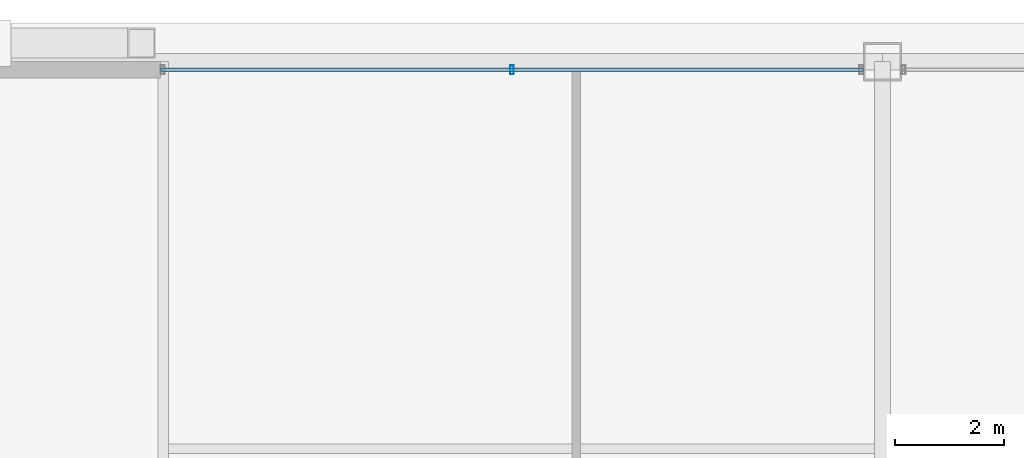
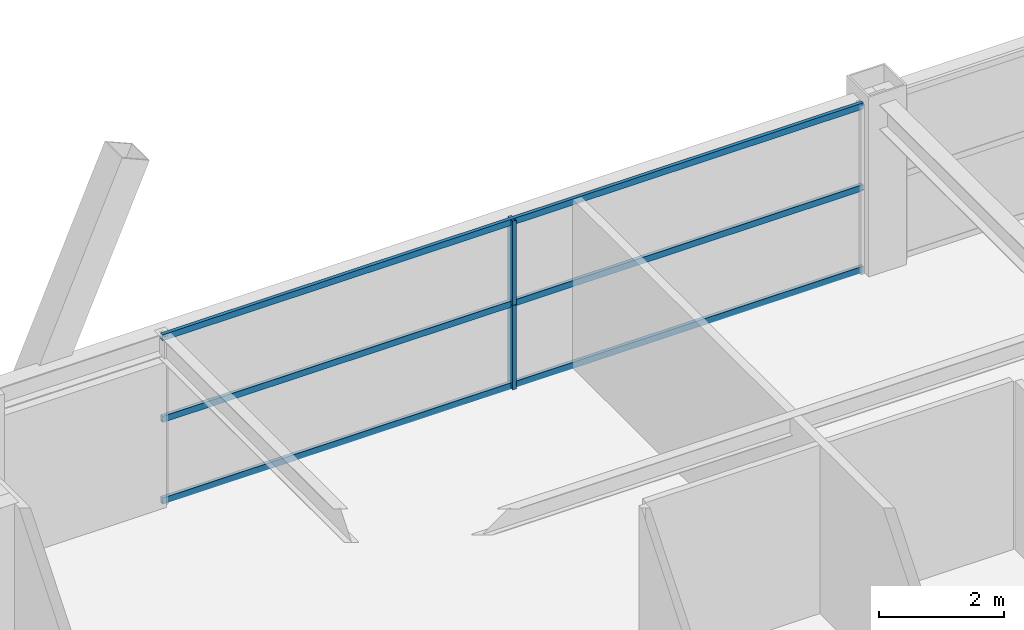
# One storey, part 23 of 33: 5 members, 1 element without a shape of its own.
"""IFC4 building model written with IfcOpenShell, lengths in metres."""

from ifc_helpers import new_model, si_unit, direction, frame, origin, origin_2d, place, context, subcontext, project, spatial, hollow_rectangle, extrude, source, transform, mapped, material, layer, layer_set, material_profile, profile_set, type_object, element, aggregate, save


model = new_model("IFC4")

# Units and contexts
model_context = context("Model", 3, precision=1e-05, world=origin(), true_north=direction((0.0, 1.0)))
body_context = subcontext(model_context, "Body", "Model", "MODEL_VIEW")
ifc_project = project(units=[si_unit("LENGTHUNIT", "METRE"), si_unit("AREAUNIT", "SQUARE_METRE"), si_unit("VOLUMEUNIT", "CUBIC_METRE"), si_unit("PLANEANGLEUNIT", "RADIAN"), si_unit("MASSUNIT", "GRAM", prefix="KILO"), si_unit("THERMODYNAMICTEMPERATUREUNIT", "KELVIN"), si_unit("POWERUNIT", "WATT")], contexts=[model_context])

# Site, building, storey
site_placement = place(None, origin())
site = spatial("IfcSite", under=ifc_project, at=site_placement, CompositionType="ELEMENT")
building_placement = place(site_placement, origin())
building = spatial("IfcBuilding", under=site, at=building_placement, Name="Yuzanri Waterfront Tower", CompositionType="ELEMENT")
storey_placement = place(building_placement, frame((0.0, 0.0, 234.60009765625)))
storey = spatial("IfcBuildingStorey", under=building, at=storey_placement, Name="L62", CompositionType="ELEMENT", Elevation=234.60009765625)

# Curtain wall, members
ifc_material_1 = material(Name="Anodized Architectural Bronze", Category="metal")
ifc_layer = layer(ifc_material_1, 0.159912109375)
ifc_layer_set = layer_set([ifc_layer], Name="Anodized Architectural Bronze")
curtain_wall_type = type_object("IfcCurtainWallType", Name="Anodized Bronze Mid-Rise Residential Acoustic Unitized Curtain Wall 7200", PredefinedType="NOTDEFINED", material=ifc_layer_set)
curtain_wall_placement = place(storey_placement, origin())
curtain_wall = element("IfcCurtainWall", 1, at=curtain_wall_placement, inside=storey, type_object=curtain_wall_type, Name="L62 Curtain Wall CW-L62-NL", PredefinedType="NOTDEFINED")
ifc_material_2 = material(Name="Anodized Architectural Bronze", Category="metal")
ifc_material_profile_1 = material_profile(ifc_material_2, hollow_rectangle(XDim=0.06494140625, YDim=0.159912109375, WallThickness=0.00341796875, at=origin_2d()), Name="CWM 65x160")
ifc_profile_set_1 = profile_set([ifc_material_profile_1], Name="Anodized Architectural Bronze")
member_type_1 = type_object("IfcMemberType", Name="Anodized Bronze Upper-Zone Curtain-Wall Mullion 65x160", PredefinedType="MULLION", material=ifc_profile_set_1)
shared_shape_1 = source(origin(), body_context, "Body", "SweptSolid", [
    extrude(hollow_rectangle(XDim=0.06494140625, YDim=0.159912109375, WallThickness=0.00341796875, at=origin_2d()), origin(), (0.0, 0.0, 1.0), 1.637939453125),
])
member_1_placement = place(storey_placement, frame((30.199951171875, 46.25, 0.0), z_axis=(0.0, 0.0, 1.0), x_axis=(1.0, 0.0, 0.0)))
member_1 = element("IfcMember", 2, at=member_1_placement, type_object=member_type_1, Name="CW-L62-NL Lower Mullion 01", PredefinedType="MULLION", context=body_context, shape_type="MappedRepresentation", body=[
    mapped(shared_shape_1, transform((0.0, 0.0, 0.0), scale=1.0)),
])
member_2_placement = place(storey_placement, frame((30.199951171875, 46.25, 1.641845703125), z_axis=(0.0, 0.0, 1.0), x_axis=(1.0, 0.0, 0.0)))
member_2 = element("IfcMember", 3, at=member_2_placement, type_object=member_type_1, Name="CW-L62-NL Upper Mullion 01", PredefinedType="MULLION", context=body_context, shape_type="MappedRepresentation", body=[
    mapped(shared_shape_1, transform((0.0, 0.0, 0.0), scale=1.0)),
])
ifc_material_3 = material(Name="Anodized Architectural Bronze", Category="metal")
ifc_material_profile_2 = material_profile(ifc_material_3, hollow_rectangle(XDim=0.06494140625, YDim=0.1201171875, WallThickness=0.00341796875, at=origin_2d()), Name="CWT 65x120")
ifc_profile_set_2 = profile_set([ifc_material_profile_2], Name="Anodized Architectural Bronze")
member_type_2 = type_object("IfcMemberType", Name="Anodized Bronze Secondary Curtain-Wall Transom 65x120", PredefinedType="USERDEFINED", material=ifc_profile_set_2)
shared_shape_2 = source(origin(), body_context, "Body", "SweptSolid", [
    extrude(hollow_rectangle(XDim=0.06494140625, YDim=0.1201171875, WallThickness=0.00341796875, at=origin_2d()), origin(), (0.0, 0.0, 1.0), 12.89990234375),
])
member_3_placement = place(storey_placement, frame((23.75, 46.25, 0.0498046875), z_axis=(1.0, 0.0, 0.0), x_axis=(0.0, 1.0, 0.0)))
member_3 = element("IfcMember", 4, at=member_3_placement, type_object=member_type_2, Name="CW-L62-NL Transom 1", ObjectType="TRANSOM", PredefinedType="USERDEFINED", context=body_context, shape_type="MappedRepresentation", body=[
    mapped(shared_shape_2, transform((0.0, 0.0, 0.0), scale=1.0)),
])
member_4_placement = place(storey_placement, frame((23.75, 46.25, 1.639892578125), z_axis=(1.0, 0.0, 0.0), x_axis=(0.0, 1.0, 0.0)))
member_4 = element("IfcMember", 5, at=member_4_placement, type_object=member_type_2, Name="CW-L62-NL Transom 2", ObjectType="TRANSOM", PredefinedType="USERDEFINED", context=body_context, shape_type="MappedRepresentation", body=[
    mapped(shared_shape_2, transform((0.0, 0.0, 0.0), scale=1.0)),
])
member_5_placement = place(storey_placement, frame((23.75, 46.25, 3.22998046875), z_axis=(1.0, 0.0, 0.0), x_axis=(0.0, 1.0, 0.0)))
member_5 = element("IfcMember", 6, at=member_5_placement, type_object=member_type_2, Name="CW-L62-NL Transom 3", ObjectType="TRANSOM", PredefinedType="USERDEFINED", context=body_context, shape_type="MappedRepresentation", body=[
    mapped(shared_shape_2, transform((0.0, 0.0, 0.0), scale=1.0)),
])
aggregate(curtain_wall, [member_1, member_2, member_3, member_4, member_5])

save(model, "model.ifc")
